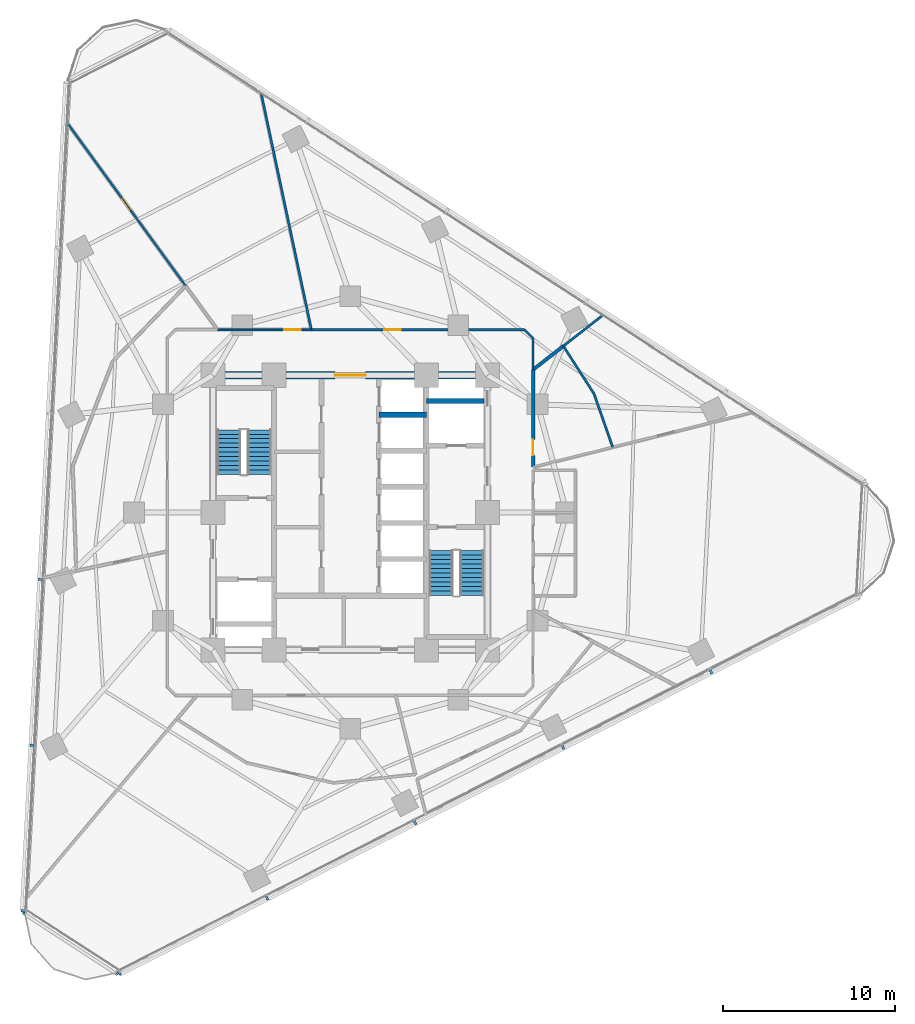
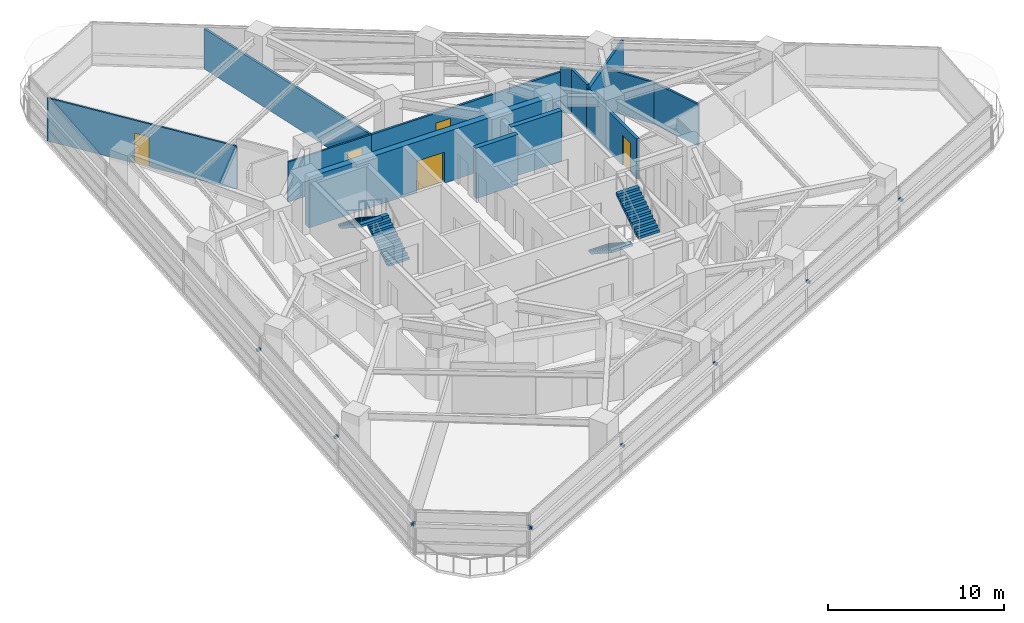
# One storey, part 10 of 14: 14 walls, 10 discrete accessories, 5 doors, 4 stair flights, 5 openings, 2 elements without a shape of their own.
"""IFC4 building model written with IfcOpenShell, lengths in metres."""

from ifc_helpers import new_model, si_unit, direction, frame, frame_2d, origin, origin_2d, place, context, subcontext, project, spatial, polyline, rectangle, outline, extrude, material, layer, layer_set, type_object, element, fill, aggregate, save


model = new_model("IFC4")

# Units and contexts
model_context = context("Model", 3, precision=1e-05, world=origin(), true_north=direction((0.0, 1.0)))
body_context = subcontext(model_context, "Body", "Model", "MODEL_VIEW")
ifc_project = project(units=[si_unit("LENGTHUNIT", "METRE"), si_unit("AREAUNIT", "SQUARE_METRE"), si_unit("VOLUMEUNIT", "CUBIC_METRE"), si_unit("PLANEANGLEUNIT", "RADIAN"), si_unit("MASSUNIT", "GRAM", prefix="KILO")], contexts=[model_context])

# Site, building, storey
site_placement = place(None, origin())
site = spatial("IfcSite", under=ifc_project, at=site_placement, CompositionType="ELEMENT")
building_placement = place(site_placement, origin())
building = spatial("IfcBuilding", under=site, at=building_placement, Name="Terralouvre Media Tower", CompositionType="ELEMENT")
storey_placement = place(building_placement, frame((0.0, 0.0, 127.300048828125)))
storey = spatial("IfcBuildingStorey", under=building, at=storey_placement, Name="L32", CompositionType="ELEMENT", Elevation=127.300048828125)

# Walls
ifc_material_1 = material(Name="Concrete C50/60", Category="concrete")
ifc_layer_1 = layer(ifc_material_1, 0.300048828125, Name="Core Internal Shaft Wall CW-300")
ifc_layer_set_1 = layer_set([ifc_layer_1], Name="Concrete C50/60")
wall_type_1 = type_object("IfcWallType", Name="Core Internal Shaft Wall CW-300", PredefinedType="SHEAR", material=ifc_layer_set_1)
wall_1_placement = place(storey_placement, frame((4.449951171875, 6.5, 0.0), z_axis=(0.0, 0.0, 1.0), x_axis=(1.0, 0.0, 0.0)))
element("IfcWall", 1, at=wall_1_placement, inside=storey, type_object=wall_type_1, Name="L32 Core Shaft Wall FF2N", PredefinedType="SHEAR", context=body_context, shape_type="SweptSolid", body=[
    extrude(rectangle(XDim=3.340087890625, YDim=0.300048828125, at=frame_2d((1.669921875, 0.0))), origin(), (0.0, 0.0, 1.0), 3.5),
])
wall_2_placement = place(storey_placement, frame((1.679931640625, 5.699951171875, 0.0), z_axis=(0.0, 0.0, 1.0), x_axis=(1.0, 0.0, 0.0)))
element("IfcWall", 2, at=wall_2_placement, inside=storey, type_object=wall_type_1, Name="L32 Core Shaft Wall PLMD2", PredefinedType="SHEAR", context=body_context, shape_type="SweptSolid", body=[
    extrude(rectangle(XDim=2.77001953125, YDim=0.300048828125, at=frame_2d((1.385009765625, 0.0))), origin(), (0.0, 0.0, 1.0), 3.5),
])

# Wall, opening, door
ifc_material_2 = material(Name="Concrete C60/75", Category="concrete")
ifc_layer_2 = layer(ifc_material_2, 0.419921875, Name="Core Reinforced Concrete Shear Wall CW-420")
ifc_layer_set_2 = layer_set([ifc_layer_2], Name="Concrete C60/75")
wall_type_2 = type_object("IfcWallType", Name="Core Reinforced Concrete Shear Wall CW-420", PredefinedType="SHEAR", material=ifc_layer_set_2)
wall_3_placement = place(storey_placement, frame((-8.0, 8.0, 0.0), z_axis=(0.0, 0.0, 1.0), x_axis=(1.0, 0.0, 0.0)))
wall_3 = element("IfcWall", 3, at=wall_3_placement, inside=storey, type_object=wall_type_2, Name="L32 N Core Shear Wall", PredefinedType="SHEAR", context=body_context, shape_type="SweptSolid", body=[
    extrude(rectangle(XDim=16.0, YDim=0.419921875, at=frame_2d((8.0, 0.0))), origin(), (0.0, 0.0, 1.0), 3.5),
])
opening_1_placement = place(wall_3_placement, frame((7.10009765625, 0.0, 0.0)))
opening_1 = element("IfcOpeningElement", 4, at=opening_1_placement, cuts=wall_3, Name="Opening FD-03", PredefinedType="OPENING", context=body_context, shape_type="SweptSolid", body=[
    extrude(rectangle(XDim=1.800048828125, YDim=2.14990234375, at=frame_2d((0.89990234375, 1.074951171875))), frame((0.0, 0.219970703125, 0.0), z_axis=(0.0, -1.0, 0.0), x_axis=(1.0, 0.0, 0.0)), (0.0, 0.0, 1.0), 0.43994140625),
])
ifc_material_3 = material(Name="Galvanised steel fire-resisting leaf", Category="steel")
door_type_1 = type_object("IfcDoorType", Name="Corridor Smoke-Control Double Door FD-03", OperationType="DOUBLE_DOOR_SINGLE_SWING", PredefinedType="DOOR", material=ifc_material_3)
door_1_placement = place(opening_1_placement, origin())
door_1 = element("IfcDoor", 5, at=door_1_placement, inside=storey, type_object=door_type_1, Name="L32 Central Lift Lobby Portal Door", OperationType="DOUBLE_DOOR_SINGLE_SWING", OverallHeight=2.14990234375, OverallWidth=1.800048828125, PredefinedType="DOOR", context=body_context, shape_type="SweptSolid", body=[
    extrude(rectangle(XDim=1.800048828125, YDim=2.14990234375, at=frame_2d((0.89990234375, 1.074951171875))), frame((0.0, 0.02490234375, 0.0), z_axis=(0.0, -1.0, 0.0), x_axis=(1.0, 0.0, 0.0)), (0.0, 0.0, 1.0), 0.050048828125),
])
fill(opening_1, door_1)

ifc_material_4 = material(Name="Fire-rated gypsum board drywall partition")
ifc_layer_3 = layer(ifc_material_4, 0.199951171875, Name="Fire-Rated Shaft and Lobby Partition FW-200")
ifc_layer_set_3 = layer_set([ifc_layer_3], Name="Fire-rated gypsum board drywall partition")
wall_type_3 = type_object("IfcWallType", Name="Fire-Rated Shaft and Lobby Partition FW-200", PredefinedType="SOLIDWALL", material=ifc_layer_set_3)
wall_4_placement = place(storey_placement, frame((10.64990234375, 2.655029296875, 0.0), z_axis=(0.0, 0.0, 1.0), x_axis=(0.0, 1.0, 0.0)))
wall_4 = element("IfcWall", 6, at=wall_4_placement, inside=storey, type_object=wall_type_3, Name="L32 Interior Partition 012", PredefinedType="SOLIDWALL", context=body_context, shape_type="SweptSolid", body=[
    extrude(rectangle(XDim=5.666015625, YDim=0.199951171875, at=frame_2d((2.8330078125, 0.0))), origin(), (0.0, 0.0, 1.0), 2.784912109375),
])
opening_2_placement = place(wall_4_placement, frame((0.673095703125, 0.0, 0.0)))
opening_2 = element("IfcOpeningElement", 7, at=opening_2_placement, cuts=wall_4, Name="Opening FD-05-92X210", PredefinedType="OPENING", context=body_context, shape_type="SweptSolid", body=[
    extrude(rectangle(XDim=0.919921875, YDim=2.10009765625, at=frame_2d((0.4599609375, 1.050048828125))), frame((0.0, 0.10986328125, 0.0), z_axis=(0.0, -1.0, 0.0), x_axis=(1.0, 0.0, 0.0)), (0.0, 0.0, 1.0), 0.219970703125),
])
ifc_material_5 = material(Name="Galvanised steel fire-resisting leaf", Category="steel")
door_type_2 = type_object("IfcDoorType", Name="Core Accessible Closet Fire Door FD-05 (920x2100)", OperationType="NOTDEFINED", PredefinedType="DOOR", material=ifc_material_5)
door_2_placement = place(opening_2_placement, origin())
door_2 = element("IfcDoor", 8, at=door_2_placement, inside=storey, type_object=door_type_2, Name="L32 Broadcast Replay Server Room 8 Door", OperationType="SINGLE_SWING_LEFT", OverallHeight=2.10009765625, OverallWidth=0.919921875, PredefinedType="DOOR", context=body_context, shape_type="SweptSolid", body=[
    extrude(rectangle(XDim=0.919921875, YDim=2.10009765625, at=frame_2d((0.4599609375, 1.050048828125))), frame((0.0, 0.02490234375, 0.0), z_axis=(0.0, -1.0, 0.0), x_axis=(1.0, 0.0, 0.0)), (0.0, 0.0, 1.0), 0.050048828125),
])
fill(opening_2, door_2)

# Walls
wall_5_placement = place(storey_placement, frame((12.416015625, 9.700927734375, 0.0), z_axis=(0.0, 0.0, 1.0), x_axis=(-0.788001252745, -0.615673635681, 0.0)))
element("IfcWall", 9, at=wall_5_placement, inside=storey, type_object=wall_type_3, Name="L32 Interior Partition 045", PredefinedType="SOLIDWALL", context=body_context, shape_type="SweptSolid", body=[
    extrude(rectangle(XDim=2.2412109375, YDim=0.199951171875, at=frame_2d((1.12060546875, 0.0))), origin(), (0.0, 0.0, 1.0), 2.885009765625),
])
ifc_material_6 = material(Name="Fire-rated gypsum board drywall partition")
ifc_layer_4 = layer(ifc_material_6, 0.135009765625, Name="Newsroom Acoustic Partition PT-135")
ifc_layer_set_4 = layer_set([ifc_layer_4], Name="Fire-rated gypsum board drywall partition")
wall_type_4 = type_object("IfcWallType", Name="Newsroom Acoustic Partition PT-135", PredefinedType="PARTITIONING", material=ifc_layer_set_4)
wall_6_placement = place(storey_placement, frame((10.64990234375, 8.321044921875, 0.0), z_axis=(0.0, 0.0, 1.0), x_axis=(0.0, 1.0, 0.0)))
element("IfcWall", 10, at=wall_6_placement, inside=storey, type_object=wall_type_4, Name="L32 Interior Partition 013", PredefinedType="PARTITIONING", context=body_context, shape_type="SweptSolid", body=[
    extrude(rectangle(XDim=1.828857421875, YDim=0.135009765625, at=frame_2d((0.91455078125, 0.0))), origin(), (0.0, 0.0, 1.0), 3.125),
])
wall_7_placement = place(storey_placement, frame((10.64990234375, 10.14990234375, 0.0), z_axis=(0.0, 0.0, 1.0), x_axis=(-0.707106781187, 0.707106781187, 0.0)))
element("IfcWall", 11, at=wall_7_placement, inside=storey, type_object=wall_type_4, Name="L32 Interior Partition 014", PredefinedType="PARTITIONING", context=body_context, shape_type="SweptSolid", body=[
    extrude(rectangle(XDim=0.70703125, YDim=0.135009765625, at=frame_2d((0.353515625, 0.0))), origin(), (0.0, 0.0, 1.0), 3.125),
])

# Wall, opening, door
wall_8_placement = place(storey_placement, frame((10.14990234375, 10.64990234375, 0.0), z_axis=(0.0, 0.0, 1.0), x_axis=(-1.0, 0.0, 0.0)))
wall_8 = element("IfcWall", 12, at=wall_8_placement, inside=storey, type_object=wall_type_4, Name="L32 Interior Partition 015", PredefinedType="PARTITIONING", context=body_context, shape_type="SweptSolid", body=[
    extrude(rectangle(XDim=12.413818359375, YDim=0.135009765625, at=frame_2d((6.20703125, 0.0))), origin(), (0.0, 0.0, 1.0), 2.784912109375),
])
opening_3_placement = place(wall_8_placement, frame((7.2216796875, 0.0, 0.0)))
opening_3 = element("IfcOpeningElement", 13, at=opening_3_placement, cuts=wall_8, Name="Opening ID-02-95X210", PredefinedType="OPENING", context=body_context, shape_type="SweptSolid", body=[
    extrude(rectangle(XDim=0.949951171875, YDim=2.10009765625, at=frame_2d((0.47509765625, 1.050048828125))), frame((0.0, 0.077392578125, 0.0), z_axis=(0.0, -1.0, 0.0), x_axis=(1.0, 0.0, 0.0)), (0.0, 0.0, 1.0), 0.155029296875),
])
ifc_material_7 = material(Name="Engineered hardwood acoustic timber leaf", Category="wood")
door_type_3 = type_object("IfcDoorType", Name="Office and Meeting Room Door ID-02 (950x2100)", OperationType="NOTDEFINED", PredefinedType="DOOR", material=ifc_material_7)
door_3_placement = place(opening_3_placement, origin())
door_3 = element("IfcDoor", 14, at=door_3_placement, inside=storey, type_object=door_type_3, Name="L32 Green-Room Hospitality Lounge 9 Door", OperationType="SINGLE_SWING_RIGHT", OverallHeight=2.10009765625, OverallWidth=0.949951171875, PredefinedType="DOOR", context=body_context, shape_type="SweptSolid", body=[
    extrude(rectangle(XDim=0.949951171875, YDim=2.10009765625, at=frame_2d((0.47509765625, 1.050048828125))), frame((0.0, 0.02490234375, 0.0), z_axis=(0.0, -1.0, 0.0), x_axis=(1.0, 0.0, 0.0)), (0.0, 0.0, 1.0), 0.050048828125),
])
fill(opening_3, door_3)

# Walls
wall_9_placement = place(storey_placement, frame((12.416015625, 9.700927734375, 0.0), z_axis=(0.0, 0.0, 1.0), x_axis=(0.540981963117, -0.841034194062, 0.0)))
element("IfcWall", 15, at=wall_9_placement, inside=storey, type_object=wall_type_4, Name="L32 Interior Partition 042", PredefinedType="PARTITIONING", context=body_context, shape_type="SweptSolid", body=[
    extrude(rectangle(XDim=3.29931640625, YDim=0.135009765625, at=frame_2d((1.649658203125, 0.0))), origin(), (0.0, 0.0, 1.0), 2.885009765625),
])
wall_10_placement = place(storey_placement, frame((14.200927734375, 6.926025390625, 0.0), z_axis=(0.0, 0.0, 1.0), x_axis=(0.329872352593, -0.944025545732, 0.0)))
element("IfcWall", 16, at=wall_10_placement, inside=storey, type_object=wall_type_4, Name="L32 Interior Partition 043", PredefinedType="PARTITIONING", context=body_context, shape_type="SweptSolid", body=[
    extrude(rectangle(XDim=3.298583984375, YDim=0.135009765625, at=frame_2d((1.6494140625, 0.0))), origin(), (0.0, 0.0, 1.0), 2.885009765625),
])
wall_11_placement = place(storey_placement, frame((14.744384765625, 11.52001953125, 0.0), z_axis=(0.0, 0.0, 1.0), x_axis=(-0.788015604839, -0.615655265981, 0.0)))
element("IfcWall", 17, at=wall_11_placement, inside=storey, type_object=wall_type_4, Name="L32 Interior Partition 044", PredefinedType="PARTITIONING", context=body_context, shape_type="SweptSolid", body=[
    extrude(rectangle(XDim=2.954833984375, YDim=0.135009765625, at=frame_2d((1.4775390625, 0.0))), origin(), (0.0, 0.0, 1.0), 2.885009765625),
])
wall_12_placement = place(storey_placement, frame((-5.20166015625, 24.47314453125, 0.0), z_axis=(0.0, 0.0, 1.0), x_axis=(0.207879417489, -0.978154460085, 0.0)))
element("IfcWall", 18, at=wall_12_placement, inside=storey, type_object=wall_type_4, Name="L32 Interior Partition 046", PredefinedType="PARTITIONING", context=body_context, shape_type="SweptSolid", body=[
    extrude(rectangle(XDim=14.132080078125, YDim=0.135009765625, at=frame_2d((7.06591796875, 0.0))), origin(), (0.0, 0.0, 1.0), 2.784912109375),
])

# Wall, opening, door
ifc_material_8 = material(Name="Fire-rated gypsum board drywall partition")
ifc_layer_5 = layer(ifc_material_8, 0.114990234375, Name="Restroom and Pantry Partition PT-115")
ifc_layer_set_5 = layer_set([ifc_layer_5], Name="Fire-rated gypsum board drywall partition")
wall_type_5 = type_object("IfcWallType", Name="Restroom and Pantry Partition PT-115", PredefinedType="PARTITIONING", material=ifc_layer_set_5)
wall_13_placement = place(storey_placement, frame((-2.263916015625, 10.64990234375, 0.0), z_axis=(0.0, 0.0, 1.0), x_axis=(-1.0, 0.0, 0.0)))
wall_13 = element("IfcWall", 19, at=wall_13_placement, inside=storey, type_object=wall_type_5, Name="L32 Interior Partition 016", PredefinedType="PARTITIONING", context=body_context, shape_type="SweptSolid", body=[
    extrude(rectangle(XDim=5.47412109375, YDim=0.114990234375, at=frame_2d((2.737060546875, 0.0))), origin(), (0.0, 0.0, 1.0), 2.784912109375),
])
opening_4_placement = place(wall_13_placement, frame((0.619873046875, 0.0, 0.0)))
opening_4 = element("IfcOpeningElement", 20, at=opening_4_placement, cuts=wall_13, Name="Opening SD-01-95X210", PredefinedType="OPENING", context=body_context, shape_type="SweptSolid", body=[
    extrude(rectangle(XDim=0.949951171875, YDim=2.10009765625, at=frame_2d((0.47509765625, 1.050048828125))), frame((0.0, 0.0673828125, 0.0), z_axis=(0.0, -1.0, 0.0), x_axis=(1.0, 0.0, 0.0)), (0.0, 0.0, 1.0), 0.135009765625),
])
ifc_material_9 = material(Name="Anodised extruded aluminium 6063-T6", Category="aluminium")
door_type_4 = type_object("IfcDoorType", Name="Pantry Pocket Sliding Door SD-01 (950x2100)", OperationType="SLIDING_TO_LEFT", PredefinedType="DOOR", material=ifc_material_9)
door_4_placement = place(opening_4_placement, origin())
door_4 = element("IfcDoor", 21, at=door_4_placement, inside=storey, type_object=door_type_4, Name="L32 Match-Day Catering Pantry 10 Door", OperationType="SLIDING_TO_LEFT", OverallHeight=2.10009765625, OverallWidth=0.949951171875, PredefinedType="DOOR", context=body_context, shape_type="SweptSolid", body=[
    extrude(rectangle(XDim=0.949951171875, YDim=2.10009765625, at=frame_2d((0.47509765625, 1.050048828125))), frame((0.0, 0.02490234375, 0.0), z_axis=(0.0, -1.0, 0.0), x_axis=(1.0, 0.0, 0.0)), (0.0, 0.0, 1.0), 0.050048828125),
])
fill(opening_4, door_4)

wall_14_placement = place(storey_placement, frame((-16.524169921875, 22.7431640625, 0.0), z_axis=(0.0, 0.0, 1.0), x_axis=(0.587785136625, -0.809017078412, 0.0)))
wall_14 = element("IfcWall", 22, at=wall_14_placement, inside=storey, type_object=wall_type_5, Name="L32 Interior Partition 047", PredefinedType="PARTITIONING", context=body_context, shape_type="SweptSolid", body=[
    extrude(rectangle(XDim=11.793701171875, YDim=0.114990234375, at=frame_2d((5.89697265625, 0.0))), origin(), (0.0, 0.0, 1.0), 2.98486328125),
])
opening_5_placement = place(wall_14_placement, frame((5.436767578125, 0.0, 0.0)))
opening_5 = element("IfcOpeningElement", 23, at=opening_5_placement, cuts=wall_14, Name="Opening ID-03-92X210", PredefinedType="OPENING", context=body_context, shape_type="SweptSolid", body=[
    extrude(rectangle(XDim=0.919921875, YDim=2.10009765625, at=frame_2d((0.4599609375, 1.050048828125))), frame((0.0, 0.0673828125, 0.0), z_axis=(0.0, -1.0, 0.0), x_axis=(1.0, 0.0, 0.0)), (0.0, 0.0, 1.0), 0.135009765625),
])
ifc_material_10 = material(Name="Engineered hardwood acoustic timber leaf", Category="wood")
door_type_5 = type_object("IfcDoorType", Name="Accessible Restroom and Suite Door ID-03 (920x2100)", OperationType="NOTDEFINED", PredefinedType="DOOR", material=ifc_material_10)
door_5_placement = place(opening_5_placement, origin())
door_5 = element("IfcDoor", 24, at=door_5_placement, inside=storey, type_object=door_type_5, Name="L32 League Statistics Library 11 Door", OperationType="SINGLE_SWING_LEFT", OverallHeight=2.10009765625, OverallWidth=0.919921875, PredefinedType="DOOR", context=body_context, shape_type="SweptSolid", body=[
    extrude(rectangle(XDim=0.919921875, YDim=2.10009765625, at=frame_2d((0.4599609375, 1.050048828125))), frame((0.0, 0.02490234375, 0.0), z_axis=(0.0, -1.0, 0.0), x_axis=(1.0, 0.0, 0.0)), (0.0, 0.0, 1.0), 0.050048828125),
])
fill(opening_5, door_5)

# Stair, stair flights
ifc_material_11 = material(Name="Concrete C45/55", Category="concrete")
stair_type_1 = type_object("IfcStairType", Name="Dogleg Stair Assembly ST-01", PredefinedType="HALF_TURN_STAIR", material=ifc_material_11)
stair_1_placement = place(storey_placement, origin())
stair_1 = element("IfcStair", 25, at=stair_1_placement, inside=storey, type_object=stair_type_1, Name="L32 Core Pressurised Exit Stair ST-01", PredefinedType="HALF_TURN_STAIR")
ifc_material_12 = material(Name="Concrete C45/55", Category="concrete")
stair_flight_type = type_object("IfcStairFlightType", Name="Reinforced Concrete Stair Flight SF-RC1", PredefinedType="STRAIGHT", material=ifc_material_12)
stair_flight_1_placement = place(storey_placement, frame((-5.300048828125, 2.219970703125, 0.0), z_axis=(0.0, 0.0, 1.0), x_axis=(0.0, 1.0, 0.0)))
stair_flight_1 = element("IfcStairFlight", 26, at=stair_flight_1_placement, type_object=stair_flight_type, Name="ST-01 flight 1", NumberOfRisers=11, NumberOfTreads=10, PredefinedType="STRAIGHT", RiserHeight=0.168181818, TreadLength=0.26, context=body_context, shape_type="SweptSolid", body=[
    extrude(outline(polyline([(0.0, 0.0), (0.0, 0.168212890625), (0.260009765625, 0.168212890625), (0.260009765625, 0.33642578125), (0.52001953125, 0.33642578125), (0.52001953125, 0.504638671875), (0.780029296875, 0.504638671875), (0.780029296875, 0.672607421875), (1.0400390625, 0.672607421875), (1.0400390625, 0.8408203125), (1.300048828125, 0.8408203125), (1.300048828125, 1.009033203125), (1.56005859375, 1.009033203125), (1.56005859375, 1.17724609375), (1.820068359375, 1.17724609375), (1.820068359375, 1.345458984375), (2.080078125, 1.345458984375), (2.080078125, 1.513671875), (2.340087890625, 1.513671875), (2.340087890625, 1.681884765625), (2.60009765625, 1.681884765625), (2.60009765625, 1.85009765625), (2.60009765625, 1.503173828125), (0.27587890625, 0.0), (0.0, 0.0)])), frame((0.0, 0.699951171875, 0.0), z_axis=(0.0, -1.0, 0.0), x_axis=(1.0, 0.0, 0.0)), (0.0, 0.0, 1.0), 1.39990234375),
])
stair_flight_2_placement = place(storey_placement, frame((-7.080078125, 4.820068359375, 1.849853515625), z_axis=(0.0, 0.0, 1.0), x_axis=(0.0, -1.0, 0.0)))
stair_flight_2 = element("IfcStairFlight", 27, at=stair_flight_2_placement, type_object=stair_flight_type, Name="ST-01 flight 2", NumberOfRisers=11, NumberOfTreads=10, PredefinedType="STRAIGHT", RiserHeight=0.168181818, TreadLength=0.26, context=body_context, shape_type="SweptSolid", body=[
    extrude(outline(polyline([(0.0, 0.0), (0.0, 0.168212890625), (0.260009765625, 0.168212890625), (0.260009765625, 0.33642578125), (0.52001953125, 0.33642578125), (0.52001953125, 0.504638671875), (0.780029296875, 0.504638671875), (0.780029296875, 0.672607421875), (1.0400390625, 0.672607421875), (1.0400390625, 0.8408203125), (1.300048828125, 0.8408203125), (1.300048828125, 1.009033203125), (1.56005859375, 1.009033203125), (1.56005859375, 1.17724609375), (1.820068359375, 1.17724609375), (1.820068359375, 1.345458984375), (2.080078125, 1.345458984375), (2.080078125, 1.513671875), (2.340087890625, 1.513671875), (2.340087890625, 1.681884765625), (2.60009765625, 1.681884765625), (2.60009765625, 1.85009765625), (2.60009765625, 1.503173828125), (0.27587890625, 0.0), (0.0, 0.0)])), frame((0.0, 0.699951171875, 0.0), z_axis=(0.0, -1.0, 0.0), x_axis=(1.0, 0.0, 0.0)), (0.0, 0.0, 1.0), 1.39990234375),
])
aggregate(stair_1, [stair_flight_1, stair_flight_2])

ifc_material_13 = material(Name="Concrete C45/55", Category="concrete")
stair_type_2 = type_object("IfcStairType", Name="Dogleg Stair Assembly ST-02", PredefinedType="HALF_TURN_STAIR", material=ifc_material_13)
stair_2_placement = place(storey_placement, origin())
stair_2 = element("IfcStair", 28, at=stair_2_placement, inside=storey, type_object=stair_type_2, Name="L32 Core Pressurised Exit Stair ST-02", PredefinedType="HALF_TURN_STAIR")
stair_flight_3_placement = place(storey_placement, frame((5.300048828125, -2.219970703125, 0.0), z_axis=(0.0, 0.0, 1.0), x_axis=(0.0, -1.0, 0.0)))
stair_flight_3 = element("IfcStairFlight", 29, at=stair_flight_3_placement, type_object=stair_flight_type, Name="ST-02 flight 1", NumberOfRisers=11, NumberOfTreads=10, PredefinedType="STRAIGHT", RiserHeight=0.168181818, TreadLength=0.26, context=body_context, shape_type="SweptSolid", body=[
    extrude(outline(polyline([(0.0, 0.0), (0.0, 0.168212890625), (0.260009765625, 0.168212890625), (0.260009765625, 0.33642578125), (0.52001953125, 0.33642578125), (0.52001953125, 0.504638671875), (0.780029296875, 0.504638671875), (0.780029296875, 0.672607421875), (1.0400390625, 0.672607421875), (1.0400390625, 0.8408203125), (1.300048828125, 0.8408203125), (1.300048828125, 1.009033203125), (1.56005859375, 1.009033203125), (1.56005859375, 1.17724609375), (1.820068359375, 1.17724609375), (1.820068359375, 1.345458984375), (2.080078125, 1.345458984375), (2.080078125, 1.513671875), (2.340087890625, 1.513671875), (2.340087890625, 1.681884765625), (2.60009765625, 1.681884765625), (2.60009765625, 1.85009765625), (2.60009765625, 1.503173828125), (0.27587890625, 0.0), (0.0, 0.0)])), frame((0.0, 0.699951171875, 0.0), z_axis=(0.0, -1.0, 0.0), x_axis=(1.0, 0.0, 0.0)), (0.0, 0.0, 1.0), 1.39990234375),
])
stair_flight_4_placement = place(storey_placement, frame((7.080078125, -4.820068359375, 1.849853515625), z_axis=(0.0, 0.0, 1.0), x_axis=(0.0, 1.0, 0.0)))
stair_flight_4 = element("IfcStairFlight", 30, at=stair_flight_4_placement, type_object=stair_flight_type, Name="ST-02 flight 2", NumberOfRisers=11, NumberOfTreads=10, PredefinedType="STRAIGHT", RiserHeight=0.168181818, TreadLength=0.26, context=body_context, shape_type="SweptSolid", body=[
    extrude(outline(polyline([(0.0, 0.0), (0.0, 0.168212890625), (0.260009765625, 0.168212890625), (0.260009765625, 0.33642578125), (0.52001953125, 0.33642578125), (0.52001953125, 0.504638671875), (0.780029296875, 0.504638671875), (0.780029296875, 0.672607421875), (1.0400390625, 0.672607421875), (1.0400390625, 0.8408203125), (1.300048828125, 0.8408203125), (1.300048828125, 1.009033203125), (1.56005859375, 1.009033203125), (1.56005859375, 1.17724609375), (1.820068359375, 1.17724609375), (1.820068359375, 1.345458984375), (2.080078125, 1.345458984375), (2.080078125, 1.513671875), (2.340087890625, 1.513671875), (2.340087890625, 1.681884765625), (2.60009765625, 1.681884765625), (2.60009765625, 1.85009765625), (2.60009765625, 1.503173828125), (0.27587890625, 0.0), (0.0, 0.0)])), frame((0.0, 0.699951171875, 0.0), z_axis=(0.0, -1.0, 0.0), x_axis=(1.0, 0.0, 0.0)), (0.0, 0.0, 1.0), 1.39990234375),
])
aggregate(stair_2, [stair_flight_3, stair_flight_4])

# Discrete accessories
ifc_material_14 = material(Name="Anodised extruded aluminium 6063-T6", Category="aluminium")
discrete_accessory_type = type_object("IfcDiscreteAccessoryType", Name="Mullion Stand-Off Baguette Fixing Bracket BK-01", PredefinedType="BRACKET", material=ifc_material_14)
for number, where, z_axis, x_axis, name in (
    (31, (-13.442626953125, -26.840087890625, 2.07421875), (0.0, 0.0, 1.0), (0.891006501178, 0.4539905449, 0.0), "CW-L32-F0 Baguette Outrigger Bracket 1.01"),
    (32, (-4.85107421875, -22.46240234375, 2.07421875), (0.0, 0.0, 1.0), (0.891006501178, 0.4539905449, 0.0), "CW-L32-F0 Baguette Outrigger Bracket 1.02"),
    (33, (3.77392578125, -18.06787109375, 2.07421875), (0.0, 0.0, 1.0), (0.891006501178, 0.4539905449, 0.0), "CW-L32-F0 Baguette Outrigger Bracket 1.03"),
    (34, (12.39892578125, -13.673095703125, 2.07421875), (0.0, 0.0, 1.0), (0.891006501178, 0.4539905449, 0.0), "CW-L32-F0 Baguette Outrigger Bracket 1.04"),
    (35, (21.02392578125, -9.278564453125, 2.07421875), (0.0, 0.0, 1.0), (0.891006501178, 0.4539905449, 0.0), "CW-L32-F0 Baguette Outrigger Bracket 1.05"),
    (36, (-18.040771484375, -3.901123046875, 2.07421875), (0.0, 0.0, 1.0), (-0.052335949864, -0.998629535089, 0.0), "CW-L32-F2 Baguette Outrigger Bracket 1.04"),
    (37, (-18.54736328125, -13.56787109375, 2.07421875), (0.0, 0.0, 1.0), (-0.052335949864, -0.998629535089, 0.0), "CW-L32-F2 Baguette Outrigger Bracket 1.05"),
    (38, (-19.052001953125, -23.197265625, 2.07421875), (0.0, 0.0, 1.0), (-0.052335949864, -0.998629535089, 0.0), "CW-L32-F2 Baguette Outrigger Bracket 1.06"),
    (39, (-18.993408203125, -23.27392578125, 2.07421875), (0.0, 0.0, 1.0), (0.838670390568, -0.544639308152, 0.0), "CW-L32-C0 Baguette Outrigger Bracket 1.01"),
    (40, (-13.536376953125, -26.81787109375, 2.07421875), (0.0, 0.0, 1.0), (0.838670390568, -0.544639308152, 0.0), "CW-L32-C0 Baguette Outrigger Bracket 1.02"),
):
    element("IfcDiscreteAccessory", number, at=place(storey_placement, frame(where, z_axis=z_axis, x_axis=x_axis)), inside=storey, type_object=discrete_accessory_type, Name=name, PredefinedType="BRACKET", context=body_context, shape_type="SweptSolid", body=[
        extrude(rectangle(XDim=0.139892578125, YDim=0.239990234375, at=origin_2d()), origin(), (0.0, 0.0, 1.0), 0.179931640625),
    ])

save(model, "model.ifc")
